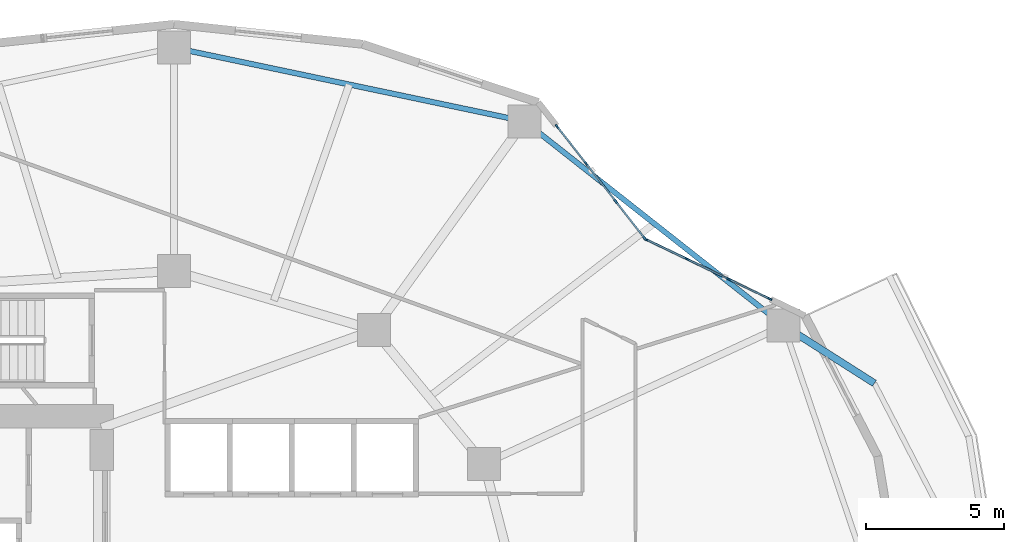
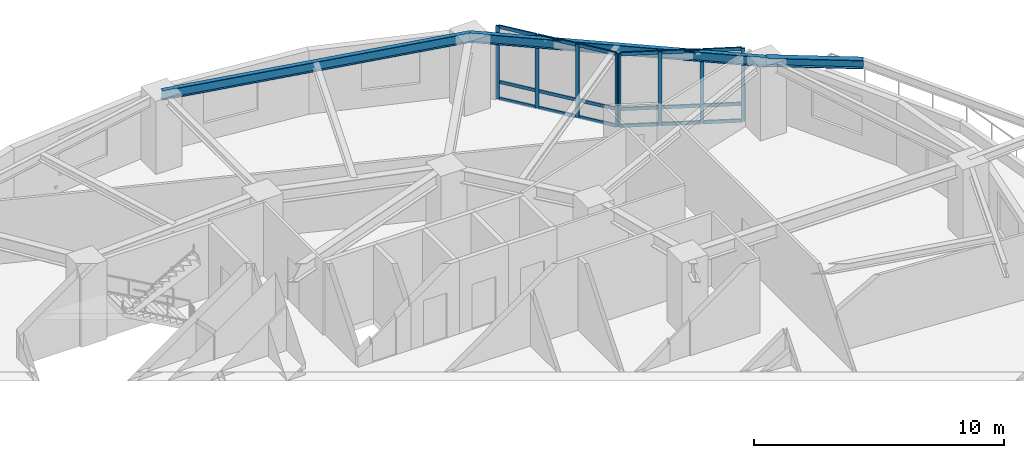
# One storey, part 4 of 13: 26 members, 3 beams, 2 elements without a shape of their own.
"""IFC4 building model written with IfcOpenShell, lengths in metres."""

from ifc_helpers import new_model, si_unit, direction, frame, origin, origin_2d, place, context, subcontext, project, spatial, rectangle, i_section, extrude, material, layer, layer_set, material_profile, profile_set, type_object, element, aggregate, save


model = new_model("IFC4")

# Units and contexts
model_context = context("Model", 3, precision=1e-05, world=origin(), true_north=direction((0.0, 1.0)))
body_context = subcontext(model_context, "Body", "Model", "MODEL_VIEW")
ifc_project = project(units=[si_unit("LENGTHUNIT", "METRE"), si_unit("AREAUNIT", "SQUARE_METRE"), si_unit("VOLUMEUNIT", "CUBIC_METRE"), si_unit("PLANEANGLEUNIT", "RADIAN"), si_unit("MASSUNIT", "GRAM", prefix="KILO")], contexts=[model_context])

# Site, building, storey
site_placement = place(None, origin())
site = spatial("IfcSite", under=ifc_project, at=site_placement, CompositionType="ELEMENT")
building_placement = place(site_placement, origin())
building = spatial("IfcBuilding", under=site, at=building_placement, Name="Kolvaren Gate Tower and Convention Centre", CompositionType="ELEMENT")
storey_placement = place(building_placement, frame((0.0, 0.0, 76.550048828125)))
storey = spatial("IfcBuildingStorey", under=building, at=storey_placement, Name="L18", CompositionType="ELEMENT", Elevation=76.550048828125)

# Curtain wall, members
ifc_material_1 = material(Name="Anodized Architectural Aluminium Alloy 6063-T6", Category="aluminium")
ifc_layer = layer(ifc_material_1, 0.159912109375)
ifc_layer_set = layer_set([ifc_layer], Name="Anodized Architectural Aluminium Alloy 6063-T6")
curtain_wall_type = type_object("IfcCurtainWallType", Name="CW-OFF-UNIT", PredefinedType="NOTDEFINED", material=ifc_layer_set)
curtain_wall_1_placement = place(storey_placement, origin())
curtain_wall_1 = element("IfcCurtainWall", 1, at=curtain_wall_1_placement, inside=storey, type_object=curtain_wall_type, Name="Tower L18 Unitised Curtain Wall CW-OFF-UNIT Bay 02", PredefinedType="NOTDEFINED")
ifc_material_profile_1 = material_profile(ifc_material_1, rectangle(XDim=0.06494140625, YDim=0.159912109375, at=origin_2d()), Name="CW-MEM-MUL-160")
ifc_profile_set_1 = profile_set([ifc_material_profile_1], Name="Anodized Architectural Aluminium Alloy 6063-T6")
member_type_1 = type_object("IfcMemberType", Name="CW-MEM-MUL-160", PredefinedType="MULLION", material=ifc_profile_set_1)
member_1_placement = place(storey_placement, frame((47.253173828125, 40.345947265625, 0.0), z_axis=(0.0, 0.0, 1.0), x_axis=(0.433067077196, 0.901361695796, 0.0)))
member_1 = element("IfcMember", 2, at=member_1_placement, type_object=member_type_1, Name="CW-02 mullion 1", PredefinedType="MULLION", context=body_context, shape_type="SweptSolid", body=[
    extrude(rectangle(XDim=0.06494140625, YDim=0.159912109375, at=origin_2d()), origin(), (0.0, 0.0, 1.0), 3.570068359375),
])
member_2_placement = place(storey_placement, frame((48.7412109375, 39.631103515625, 0.0), z_axis=(0.0, 0.0, 1.0), x_axis=(0.433067077196, 0.901361695796, 0.0)))
member_2 = element("IfcMember", 3, at=member_2_placement, type_object=member_type_1, Name="CW-02 mullion 2", PredefinedType="MULLION", context=body_context, shape_type="SweptSolid", body=[
    extrude(rectangle(XDim=0.06494140625, YDim=0.159912109375, at=origin_2d()), origin(), (0.0, 0.0, 1.0), 3.570068359375),
])
member_3_placement = place(storey_placement, frame((50.258544921875, 38.902099609375, 0.0), z_axis=(0.0, 0.0, 1.0), x_axis=(0.433067077196, 0.901361695796, 0.0)))
member_3 = element("IfcMember", 4, at=member_3_placement, type_object=member_type_1, Name="CW-02 mullion 3", PredefinedType="MULLION", context=body_context, shape_type="SweptSolid", body=[
    extrude(rectangle(XDim=0.06494140625, YDim=0.159912109375, at=origin_2d()), origin(), (0.0, 0.0, 1.0), 3.570068359375),
])
member_4_placement = place(storey_placement, frame((51.74658203125, 38.187255859375, 0.0), z_axis=(0.0, 0.0, 1.0), x_axis=(0.433067077196, 0.901361695796, 0.0)))
member_4 = element("IfcMember", 5, at=member_4_placement, type_object=member_type_1, Name="CW-02 mullion 4", PredefinedType="MULLION", context=body_context, shape_type="SweptSolid", body=[
    extrude(rectangle(XDim=0.06494140625, YDim=0.159912109375, at=origin_2d()), origin(), (0.0, 0.0, 1.0), 3.570068359375),
])

curtain_wall_2_placement = place(storey_placement, origin())
curtain_wall_2 = element("IfcCurtainWall", 6, at=curtain_wall_2_placement, inside=storey, type_object=curtain_wall_type, Name="Tower L18 Unitised Curtain Wall CW-OFF-UNIT Bay 03", PredefinedType="NOTDEFINED")
member_5_placement = place(storey_placement, frame((44.027099609375, 44.443603515625, 0.0), z_axis=(0.0, 0.0, 1.0), x_axis=(0.787406322976, 0.61643432946, 0.0)))
member_5 = element("IfcMember", 7, at=member_5_placement, type_object=member_type_1, Name="CW-02 mullion 1", PredefinedType="MULLION", context=body_context, shape_type="SweptSolid", body=[
    extrude(rectangle(XDim=0.06494140625, YDim=0.159912109375, at=origin_2d()), origin(), (0.0, 0.0, 1.0), 3.570068359375),
])
member_6_placement = place(storey_placement, frame((45.079345703125, 43.099365234375, 0.0), z_axis=(0.0, 0.0, 1.0), x_axis=(0.787406322976, 0.61643432946, 0.0)))
member_6 = element("IfcMember", 8, at=member_6_placement, type_object=member_type_1, Name="CW-02 mullion 2", PredefinedType="MULLION", context=body_context, shape_type="SweptSolid", body=[
    extrude(rectangle(XDim=0.06494140625, YDim=0.159912109375, at=origin_2d()), origin(), (0.0, 0.0, 1.0), 3.570068359375),
])
member_7_placement = place(storey_placement, frame((46.151611328125, 41.729736328125, 0.0), z_axis=(0.0, 0.0, 1.0), x_axis=(0.787406322976, 0.61643432946, 0.0)))
member_7 = element("IfcMember", 9, at=member_7_placement, type_object=member_type_1, Name="CW-02 mullion 3", PredefinedType="MULLION", context=body_context, shape_type="SweptSolid", body=[
    extrude(rectangle(XDim=0.06494140625, YDim=0.159912109375, at=origin_2d()), origin(), (0.0, 0.0, 1.0), 3.570068359375),
])
member_8_placement = place(storey_placement, frame((47.203857421875, 40.3857421875, 0.0), z_axis=(0.0, 0.0, 1.0), x_axis=(0.787406322976, 0.61643432946, 0.0)))
member_8 = element("IfcMember", 10, at=member_8_placement, type_object=member_type_1, Name="CW-02 mullion 4", PredefinedType="MULLION", context=body_context, shape_type="SweptSolid", body=[
    extrude(rectangle(XDim=0.06494140625, YDim=0.159912109375, at=origin_2d()), origin(), (0.0, 0.0, 1.0), 3.570068359375),
])

# Member
ifc_material_profile_2 = material_profile(ifc_material_1, rectangle(XDim=0.06494140625, YDim=0.159912109375, at=origin_2d()), Name="CW-MEM-TRN-160")
ifc_profile_set_2 = profile_set([ifc_material_profile_2], Name="Anodized Architectural Aluminium Alloy 6063-T6")
member_type_2 = type_object("IfcMemberType", Name="CW-MEM-TRN-160", PredefinedType="USERDEFINED", material=ifc_profile_set_2)
member_9_placement = place(storey_placement, frame((47.282470703125, 40.33203125, 0.032470703125), z_axis=(0.90136684843, -0.433056352628, 0.0), x_axis=(0.433056352628, 0.90136684843, 0.0)))
member_9 = element("IfcMember", 11, at=member_9_placement, type_object=member_type_2, Name="CW-02 transom 1.1", ObjectType="TRANSOM", PredefinedType="USERDEFINED", context=body_context, shape_type="SweptSolid", body=[
    extrude(rectangle(XDim=0.06494140625, YDim=0.159912109375, at=origin_2d()), origin(), (0.0, 0.0, 1.0), 1.5859375),
])

member_10_placement = place(storey_placement, frame((47.282470703125, 40.33203125, 0.849853515625), z_axis=(0.90136684843, -0.433056352628, 0.0), x_axis=(0.433056352628, 0.90136684843, 0.0)))
member_10 = element("IfcMember", 12, at=member_10_placement, type_object=member_type_2, Name="CW-02 transom 1.2", ObjectType="TRANSOM", PredefinedType="USERDEFINED", context=body_context, shape_type="SweptSolid", body=[
    extrude(rectangle(XDim=0.06494140625, YDim=0.159912109375, at=origin_2d()), origin(), (0.0, 0.0, 1.0), 1.5859375),
])

member_11_placement = place(storey_placement, frame((47.282470703125, 40.33203125, 3.537353515625), z_axis=(0.90136684843, -0.433056352628, 0.0), x_axis=(0.433056352628, 0.90136684843, 0.0)))
member_11 = element("IfcMember", 13, at=member_11_placement, type_object=member_type_2, Name="CW-02 transom 1.3", ObjectType="TRANSOM", PredefinedType="USERDEFINED", context=body_context, shape_type="SweptSolid", body=[
    extrude(rectangle(XDim=0.06494140625, YDim=0.159912109375, at=origin_2d()), origin(), (0.0, 0.0, 1.0), 1.5859375),
])

member_12_placement = place(storey_placement, frame((48.7705078125, 39.616943359375, 0.032470703125), z_axis=(0.901405315808, -0.432976277217, 0.0), x_axis=(0.432976277217, 0.901405315808, 0.0)))
member_12 = element("IfcMember", 14, at=member_12_placement, type_object=member_type_2, Name="CW-02 transom 2.1", ObjectType="TRANSOM", PredefinedType="USERDEFINED", context=body_context, shape_type="SweptSolid", body=[
    extrude(rectangle(XDim=0.06494140625, YDim=0.159912109375, at=origin_2d()), origin(), (0.0, 0.0, 1.0), 1.618408203125),
])

member_13_placement = place(storey_placement, frame((48.7705078125, 39.616943359375, 0.849853515625), z_axis=(0.901405315808, -0.432976277217, 0.0), x_axis=(0.432976277217, 0.901405315808, 0.0)))
member_13 = element("IfcMember", 15, at=member_13_placement, type_object=member_type_2, Name="CW-02 transom 2.2", ObjectType="TRANSOM", PredefinedType="USERDEFINED", context=body_context, shape_type="SweptSolid", body=[
    extrude(rectangle(XDim=0.06494140625, YDim=0.159912109375, at=origin_2d()), origin(), (0.0, 0.0, 1.0), 1.618408203125),
])

member_14_placement = place(storey_placement, frame((48.7705078125, 39.616943359375, 3.537353515625), z_axis=(0.901405315808, -0.432976277217, 0.0), x_axis=(0.432976277217, 0.901405315808, 0.0)))
member_14 = element("IfcMember", 16, at=member_14_placement, type_object=member_type_2, Name="CW-02 transom 2.3", ObjectType="TRANSOM", PredefinedType="USERDEFINED", context=body_context, shape_type="SweptSolid", body=[
    extrude(rectangle(XDim=0.06494140625, YDim=0.159912109375, at=origin_2d()), origin(), (0.0, 0.0, 1.0), 1.618408203125),
])

member_15_placement = place(storey_placement, frame((50.287841796875, 38.887939453125, 0.032470703125), z_axis=(0.90136684843, -0.433056352628, 0.0), x_axis=(0.433056352628, 0.90136684843, 0.0)))
member_15 = element("IfcMember", 17, at=member_15_placement, type_object=member_type_2, Name="CW-02 transom 3.1", ObjectType="TRANSOM", PredefinedType="USERDEFINED", context=body_context, shape_type="SweptSolid", body=[
    extrude(rectangle(XDim=0.06494140625, YDim=0.159912109375, at=origin_2d()), origin(), (0.0, 0.0, 1.0), 1.5859375),
])

member_16_placement = place(storey_placement, frame((50.287841796875, 38.887939453125, 0.849853515625), z_axis=(0.90136684843, -0.433056352628, 0.0), x_axis=(0.433056352628, 0.90136684843, 0.0)))
member_16 = element("IfcMember", 18, at=member_16_placement, type_object=member_type_2, Name="CW-02 transom 3.2", ObjectType="TRANSOM", PredefinedType="USERDEFINED", context=body_context, shape_type="SweptSolid", body=[
    extrude(rectangle(XDim=0.06494140625, YDim=0.159912109375, at=origin_2d()), origin(), (0.0, 0.0, 1.0), 1.5859375),
])

member_17_placement = place(storey_placement, frame((50.287841796875, 38.887939453125, 3.537353515625), z_axis=(0.90136684843, -0.433056352628, 0.0), x_axis=(0.433056352628, 0.90136684843, 0.0)))
member_17 = element("IfcMember", 19, at=member_17_placement, type_object=member_type_2, Name="CW-02 transom 3.3", ObjectType="TRANSOM", PredefinedType="USERDEFINED", context=body_context, shape_type="SweptSolid", body=[
    extrude(rectangle(XDim=0.06494140625, YDim=0.159912109375, at=origin_2d()), origin(), (0.0, 0.0, 1.0), 1.5859375),
])

aggregate(curtain_wall_1, [member_1, member_2, member_3, member_4, member_9, member_10, member_11, member_12, member_13, member_14, member_15, member_16, member_17])

member_18_placement = place(storey_placement, frame((44.047119140625, 44.41796875, 0.032470703125), z_axis=(0.616428523412, -0.787410868304, 0.0), x_axis=(0.787410868304, 0.616428523412, 0.0)))
member_18 = element("IfcMember", 20, at=member_18_placement, type_object=member_type_2, Name="CW-02 transom 1.1", ObjectType="TRANSOM", PredefinedType="USERDEFINED", context=body_context, shape_type="SweptSolid", body=[
    extrude(rectangle(XDim=0.06494140625, YDim=0.159912109375, at=origin_2d()), origin(), (0.0, 0.0, 1.0), 1.64208984375),
])

member_19_placement = place(storey_placement, frame((44.047119140625, 44.41796875, 0.849853515625), z_axis=(0.616428523412, -0.787410868304, 0.0), x_axis=(0.787410868304, 0.616428523412, 0.0)))
member_19 = element("IfcMember", 21, at=member_19_placement, type_object=member_type_2, Name="CW-02 transom 1.2", ObjectType="TRANSOM", PredefinedType="USERDEFINED", context=body_context, shape_type="SweptSolid", body=[
    extrude(rectangle(XDim=0.06494140625, YDim=0.159912109375, at=origin_2d()), origin(), (0.0, 0.0, 1.0), 1.64208984375),
])

member_20_placement = place(storey_placement, frame((44.047119140625, 44.41796875, 3.537353515625), z_axis=(0.616428523412, -0.787410868304, 0.0), x_axis=(0.787410868304, 0.616428523412, 0.0)))
member_20 = element("IfcMember", 22, at=member_20_placement, type_object=member_type_2, Name="CW-02 transom 1.3", ObjectType="TRANSOM", PredefinedType="USERDEFINED", context=body_context, shape_type="SweptSolid", body=[
    extrude(rectangle(XDim=0.06494140625, YDim=0.159912109375, at=origin_2d()), origin(), (0.0, 0.0, 1.0), 1.64208984375),
])

member_21_placement = place(storey_placement, frame((45.099365234375, 43.07373046875, 0.032470703125), z_axis=(0.616481234943, -0.787369599974, 0.0), x_axis=(0.787369599974, 0.616481234943, 0.0)))
member_21 = element("IfcMember", 23, at=member_21_placement, type_object=member_type_2, Name="CW-02 transom 2.1", ObjectType="TRANSOM", PredefinedType="USERDEFINED", context=body_context, shape_type="SweptSolid", body=[
    extrude(rectangle(XDim=0.06494140625, YDim=0.159912109375, at=origin_2d()), origin(), (0.0, 0.0, 1.0), 1.67431640625),
])

member_22_placement = place(storey_placement, frame((45.099365234375, 43.07373046875, 0.849853515625), z_axis=(0.616481234943, -0.787369599974, 0.0), x_axis=(0.787369599974, 0.616481234943, 0.0)))
member_22 = element("IfcMember", 24, at=member_22_placement, type_object=member_type_2, Name="CW-02 transom 2.2", ObjectType="TRANSOM", PredefinedType="USERDEFINED", context=body_context, shape_type="SweptSolid", body=[
    extrude(rectangle(XDim=0.06494140625, YDim=0.159912109375, at=origin_2d()), origin(), (0.0, 0.0, 1.0), 1.67431640625),
])

member_23_placement = place(storey_placement, frame((45.099365234375, 43.07373046875, 3.537353515625), z_axis=(0.616481234943, -0.787369599974, 0.0), x_axis=(0.787369599974, 0.616481234943, 0.0)))
member_23 = element("IfcMember", 25, at=member_23_placement, type_object=member_type_2, Name="CW-02 transom 2.3", ObjectType="TRANSOM", PredefinedType="USERDEFINED", context=body_context, shape_type="SweptSolid", body=[
    extrude(rectangle(XDim=0.06494140625, YDim=0.159912109375, at=origin_2d()), origin(), (0.0, 0.0, 1.0), 1.67431640625),
])

member_24_placement = place(storey_placement, frame((46.171630859375, 41.7041015625, 0.032470703125), z_axis=(0.61650069609, -0.787354362228, 0.0), x_axis=(0.787354362228, 0.61650069609, 0.0)))
member_24 = element("IfcMember", 26, at=member_24_placement, type_object=member_type_2, Name="CW-02 transom 3.1", ObjectType="TRANSOM", PredefinedType="USERDEFINED", context=body_context, shape_type="SweptSolid", body=[
    extrude(rectangle(XDim=0.06494140625, YDim=0.159912109375, at=origin_2d()), origin(), (0.0, 0.0, 1.0), 1.641845703125),
])

member_25_placement = place(storey_placement, frame((46.171630859375, 41.7041015625, 0.849853515625), z_axis=(0.61650069609, -0.787354362228, 0.0), x_axis=(0.787354362228, 0.61650069609, 0.0)))
member_25 = element("IfcMember", 27, at=member_25_placement, type_object=member_type_2, Name="CW-02 transom 3.2", ObjectType="TRANSOM", PredefinedType="USERDEFINED", context=body_context, shape_type="SweptSolid", body=[
    extrude(rectangle(XDim=0.06494140625, YDim=0.159912109375, at=origin_2d()), origin(), (0.0, 0.0, 1.0), 1.641845703125),
])

member_26_placement = place(storey_placement, frame((46.171630859375, 41.7041015625, 3.537353515625), z_axis=(0.61650069609, -0.787354362228, 0.0), x_axis=(0.787354362228, 0.61650069609, 0.0)))
member_26 = element("IfcMember", 28, at=member_26_placement, type_object=member_type_2, Name="CW-02 transom 3.3", ObjectType="TRANSOM", PredefinedType="USERDEFINED", context=body_context, shape_type="SweptSolid", body=[
    extrude(rectangle(XDim=0.06494140625, YDim=0.159912109375, at=origin_2d()), origin(), (0.0, 0.0, 1.0), 1.641845703125),
])

aggregate(curtain_wall_2, [member_5, member_6, member_7, member_8, member_18, member_19, member_20, member_21, member_22, member_23, member_24, member_25, member_26])

# Beams
ifc_material_2 = material(Name="Structural steel ASTM A992 Grade 345 MPa", Category="steel")
ifc_material_profile_3 = material_profile(ifc_material_2, i_section(OverallWidth=0.260009765625, OverallDepth=0.419921875, WebThickness=0.013427734375, FlangeThickness=0.0224609375, at=origin_2d()), Name="W410X132")
ifc_profile_set_3 = profile_set([ifc_material_profile_3], Name="Structural steel ASTM A992 Grade 345 MPa")
beam_type_1 = type_object("IfcBeamType", Name="STR-BM-W410X132", PredefinedType="BEAM", material=ifc_profile_set_3)
beam_1_placement = place(storey_placement, frame((52.248779296875, 37.218505859375, 3.3603515625), z_axis=(0.843548050681, -0.537053708853, 0.0), x_axis=(0.537053708853, 0.843548050681, 0.0)))
element("IfcBeam", 29, at=beam_1_placement, inside=storey, type_object=beam_type_1, Name="Tower L19 Planted Balcony Outrigger Cantilever BC-4B", PredefinedType="BEAM", context=body_context, shape_type="SweptSolid", body=[
    extrude(i_section(OverallWidth=0.260009765625, OverallDepth=0.419921875, WebThickness=0.013427734375, FlangeThickness=0.0224609375, at=origin_2d()), origin(), (0.0, 0.0, 1.0), 3.89990234375),
])
ifc_material_profile_4 = material_profile(ifc_material_2, i_section(OverallWidth=0.194091796875, OverallDepth=0.468994140625, WebThickness=0.0126953125, FlangeThickness=0.0205078125, at=origin_2d()), Name="W460X106")
ifc_profile_set_4 = profile_set([ifc_material_profile_4], Name="Structural steel ASTM A992 Grade 345 MPa")
beam_type_2 = type_object("IfcBeamType", Name="STR-SP-W460X106", PredefinedType="SPANDREL", material=ifc_profile_set_4)
beam_2_placement = place(storey_placement, frame((52.248779296875, 37.218505859375, 3.33544921875), z_axis=(-0.785459824636, 0.618912646407, 0.0), x_axis=(-0.618912646407, -0.785459824636, 0.0)))
element("IfcBeam", 30, at=beam_2_placement, inside=storey, type_object=beam_type_2, Name="Tower L18 Perimeter Spandrel Beam SP-02", PredefinedType="SPANDREL", context=body_context, shape_type="SweptSolid", body=[
    extrude(i_section(OverallWidth=0.194091796875, OverallDepth=0.468994140625, WebThickness=0.0126953125, FlangeThickness=0.0205078125, at=origin_2d()), origin(), (0.0, 0.0, 1.0), 11.970458984375),
])
beam_3_placement = place(storey_placement, frame((42.846435546875, 44.627197265625, 3.33544921875), z_axis=(-0.978632602148, 0.205616706552, 0.0), x_axis=(-0.205616706552, -0.978632602148, 0.0)))
element("IfcBeam", 31, at=beam_3_placement, inside=storey, type_object=beam_type_2, Name="Tower L18 Perimeter Spandrel Beam SP-03", PredefinedType="SPANDREL", context=body_context, shape_type="SweptSolid", body=[
    extrude(i_section(OverallWidth=0.194091796875, OverallDepth=0.468994140625, WebThickness=0.0126953125, FlangeThickness=0.0205078125, at=origin_2d()), origin(), (0.0, 0.0, 1.0), 12.999267578125),
])

save(model, "model.ifc")
